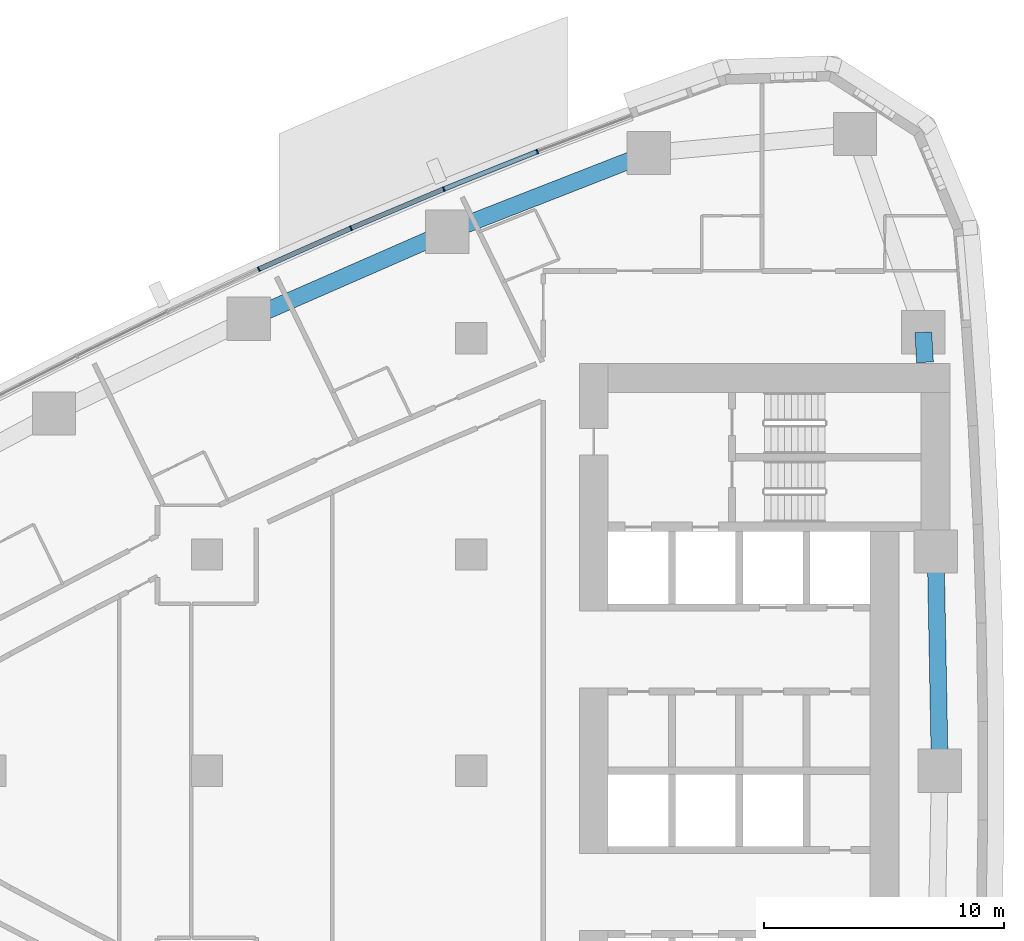
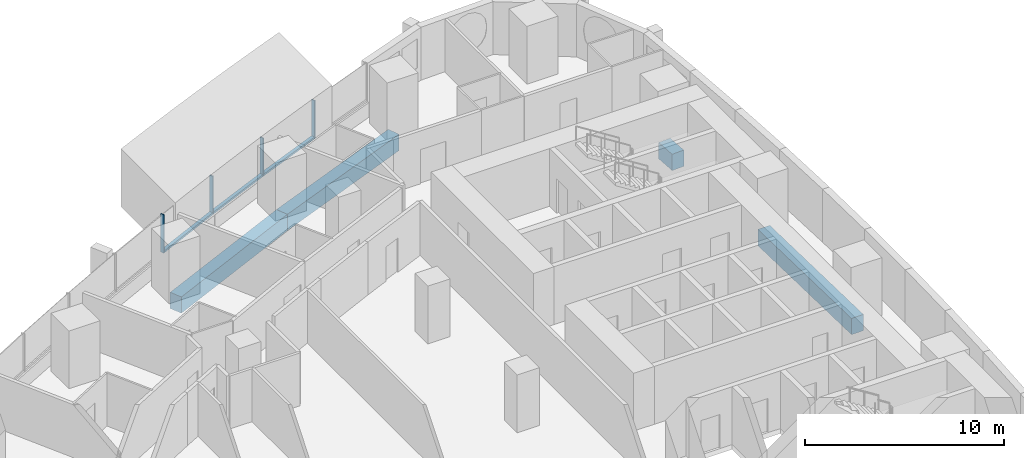
# One storey, part 6 of 19: 7 members, 4 beams, 2 elements without a shape of their own.
"""IFC4 building model written with IfcOpenShell, lengths in metres."""

import ifcopenshell
import ifcopenshell.guid

model = None  # the IFC model being written
_history = None  # IfcOwnerHistory: only IFC2X3 demands one
_inside = {}  # id of a spatial element -> (the spatial element, [elements in it])
_under = {}  # id of a project, library or spatial element -> (it, [spatial elements below it])
_declared = {}  # id of a project -> (the project, [libraries it declares])
_typed = {}  # id of a type object -> (the type object, [elements of that type])
_made_of = {}  # id of a material, layer set ... -> (it, [elements and type objects made of it])


def new_model(schema):
    """Start an empty IFC model of exactly this schema.

    Asked for "IFC4X3", IfcOpenShell would pick the latest addendum, in which some entities
    have other attributes; the version numbers below select the first issue.
    IFC2X3 requires an IfcOwnerHistory on every rooted entity: one is made here for all.
    """
    global model, _history
    if schema == "IFC4X3":
        model = ifcopenshell.file(schema_version=(4, 3, 0, 0))
    else:
        model = ifcopenshell.file(schema=schema)
    _inside.clear()
    _under.clear()
    _declared.clear()
    _typed.clear()
    _made_of.clear()
    _history = None
    if model.schema == "IFC2X3":
        org = make("IfcOrganization", Name="unknown")
        user = make(
            "IfcPersonAndOrganization",
            ThePerson=make("IfcPerson", FamilyName="unknown"),
            TheOrganization=org,
        )
        app = make(
            "IfcApplication",
            ApplicationDeveloper=org,
            Version="unknown",
            ApplicationFullName="unknown",
            ApplicationIdentifier="unknown",
        )
        _history = make(
            "IfcOwnerHistory",
            OwningUser=user,
            OwningApplication=app,
            ChangeAction="ADDED",
            CreationDate=0,
        )
    return model


def make(cls, **values):
    """One entity of the class cls with the attributes given. An attribute that is None is left unset."""
    return model.create_entity(
        cls, **{name: value for name, value in values.items() if value is not None}
    )


def rooted(cls, **values):
    """An entity with a GlobalId (a new one), such as an element, a storey or a relation."""
    return make(cls, GlobalId=ifcopenshell.guid.new(), OwnerHistory=_history, **values)


def si_unit(unit_type, name, prefix=None):
    """IfcSIUnit, for example si_unit("LENGTHUNIT", "METRE", prefix="MILLI")."""
    return make("IfcSIUnit", UnitType=unit_type, Prefix=prefix, Name=name)


def assignment(units):
    """IfcUnitAssignment: the units of a project."""
    return None if units is None else make("IfcUnitAssignment", Units=units)


def point(xyz):
    """IfcCartesianPoint."""
    return None if xyz is None else make("IfcCartesianPoint", Coordinates=xyz)


def direction(xyz):
    """IfcDirection."""
    return None if xyz is None else make("IfcDirection", DirectionRatios=xyz)


def frame(location, z_axis=None, x_axis=None):
    """IfcAxis2Placement3D, a coordinate frame: its origin and axes. An axis left out is left unset."""
    return make(
        "IfcAxis2Placement3D",
        Location=point(location),
        Axis=direction(z_axis),
        RefDirection=direction(x_axis),
    )


def frame_2d(location, x_axis=None):
    """IfcAxis2Placement2D, a coordinate frame in the plane: its origin and x axis."""
    return make(
        "IfcAxis2Placement2D", Location=point(location), RefDirection=direction(x_axis)
    )


def origin():
    """The frame at (0, 0, 0) with its axes left unset."""
    return frame((0.0, 0.0, 0.0))


def origin_2d():
    """The frame at (0, 0) in the plane with its x axis left unset."""
    return frame_2d((0.0, 0.0))


def place(relative_to, where):
    """IfcLocalPlacement: puts the frame where relative to a parent placement (None: the world)."""
    return make(
        "IfcLocalPlacement", PlacementRelTo=relative_to, RelativePlacement=where
    )


def context(
    kind, dimensions, precision=None, world=None, true_north=None, identifier=None
):
    """IfcGeometricRepresentationContext, for example the 3D "Model" context."""
    return make(
        "IfcGeometricRepresentationContext",
        ContextIdentifier=identifier,
        ContextType=kind,
        CoordinateSpaceDimension=dimensions,
        Precision=precision,
        WorldCoordinateSystem=world,
        TrueNorth=true_north,
    )


def subcontext(parent, identifier, kind, view, scale=None):
    """IfcGeometricRepresentationSubContext, for example "Body" below "Model"."""
    return make(
        "IfcGeometricRepresentationSubContext",
        ContextIdentifier=identifier,
        ContextType=kind,
        ParentContext=parent,
        TargetScale=scale,
        TargetView=view,
    )


def project(units=None, contexts=None):
    """IfcProject with its units and contexts."""
    return rooted(
        "IfcProject",
        Name="project",
        RepresentationContexts=contexts,
        UnitsInContext=assignment(units),
    )


def spatial(cls, under=None, at=None, **own):
    """A site, building, storey or space (cls), placed at a placement, below another one or the project."""
    s = rooted(cls, ObjectPlacement=at, **own)
    if under is not None:
        _under.setdefault(under.id(), (under, []))[1].append(s)
    return s


def profile(cls, at=None, kind="AREA", **sizes):
    """A parametric profile (cls). Its sizes go by their IFC names, for example OverallWidth=200.0."""
    return make(cls, ProfileType=kind, Position=at, **sizes)


def rectangle(**sizes):
    """IfcRectangleProfileDef."""
    return profile("IfcRectangleProfileDef", **sizes)


def extrude(swept, where, along, depth):
    """IfcExtrudedAreaSolid: the profile swept, set in the frame where, extruded along a direction by depth."""
    return make(
        "IfcExtrudedAreaSolid",
        SweptArea=swept,
        Position=where,
        ExtrudedDirection=direction(along),
        Depth=depth,
    )


def shape(context_of_items, identifier, shape_type, items):
    """IfcShapeRepresentation: the items that make up one representation, for example the "Body"."""
    return make(
        "IfcShapeRepresentation",
        ContextOfItems=context_of_items,
        RepresentationIdentifier=identifier,
        RepresentationType=shape_type,
        Items=items,
    )


def material(Name=None, Category=None):
    """IfcMaterial."""
    return make("IfcMaterial", Name=Name, Category=Category)


def layer(
    of_material, thickness, ventilated=None, Name=None, Category=None, Priority=None
):
    """IfcMaterialLayer: one layer of a wall or slab, of a material (None: an air gap)."""
    return make(
        "IfcMaterialLayer",
        Material=of_material,
        LayerThickness=thickness,
        IsVentilated=ventilated,
        Name=Name,
        Category=Category,
        Priority=Priority,
    )


def layer_set(layers, Name=None):
    """IfcMaterialLayerSet."""
    return make("IfcMaterialLayerSet", MaterialLayers=layers, LayerSetName=Name)


def material_profile(
    of_material, cross_section, Name=None, Category=None, Priority=None
):
    """IfcMaterialProfile: a cross section and its material."""
    return make(
        "IfcMaterialProfile",
        Name=Name,
        Material=of_material,
        Profile=cross_section,
        Priority=Priority,
        Category=Category,
    )


def profile_set(profiles, Name=None, composite=None):
    """IfcMaterialProfileSet."""
    return make(
        "IfcMaterialProfileSet",
        Name=Name,
        MaterialProfiles=profiles,
        CompositeProfile=composite,
    )


def made_of(thing, what):
    """Note that an element or type object is made of a material, layer set ...; save() writes the relation."""
    if what is not None:
        _made_of.setdefault(what.id(), (what, []))[1].append(thing)
    return thing


def type_object(cls, material=None, **own):
    """A type object (cls), such as IfcWallType, which elements share."""
    return made_of(rooted(cls, **own), material)


def element(
    cls,
    number,
    at=None,
    inside=None,
    cuts=None,
    type_object=None,
    material=None,
    context=None,
    identifier="Body",
    shape_type=None,
    held_by="IfcProductDefinitionShape",
    body=None,
    shapes=None,
    **own,
):
    """One element of the class cls, such as IfcWall. Its Tag is "e" and its number.

    at: its placement. inside: the storey or other place that contains it. cuts: it is an
    opening in that element (IfcRelVoidsElement). A single representation is given by context,
    identifier, shape_type and body (its items); several are given by shapes. held_by: the class
    of the entity that holds the representations. save() writes the other relations.
    """
    e = rooted(cls, Tag="e%d" % number, ObjectPlacement=at, **own)
    if body is not None:
        shapes = [shape(context, identifier, shape_type, body)]
    if shapes is not None:
        e.Representation = make(held_by, Representations=shapes)
    if inside is not None:
        _inside.setdefault(inside.id(), (inside, []))[1].append(e)
    if cuts is not None:
        rooted(
            "IfcRelVoidsElement", RelatingBuildingElement=cuts, RelatedOpeningElement=e
        )
    if type_object is not None:
        _typed.setdefault(type_object.id(), (type_object, []))[1].append(e)
    return made_of(e, material)


def aggregate(whole, parts):
    """IfcRelAggregates: a whole, such as a stair, and the parts it consists of."""
    return rooted("IfcRelAggregates", RelatingObject=whole, RelatedObjects=parts)


def save(model, path):
    """Write the relations noted so far, then the file.

    IfcRelAggregates (storeys below a building ...), IfcRelContainedInSpatialStructure (elements
    in a storey), IfcRelDefinesByType, IfcRelAssociatesMaterial and IfcRelDeclares: one each for
    every whole, place, type object, material and project.
    """
    for whole, parts in _under.values():
        aggregate(whole, parts)
    for where, things in _inside.values():
        rooted(
            "IfcRelContainedInSpatialStructure",
            RelatedElements=things,
            RelatingStructure=where,
        )
    for kind, things in _typed.values():
        rooted("IfcRelDefinesByType", RelatedObjects=things, RelatingType=kind)
    for what, things in _made_of.values():
        rooted("IfcRelAssociatesMaterial", RelatedObjects=things, RelatingMaterial=what)
    for by, libraries in _declared.values():
        rooted("IfcRelDeclares", RelatingContext=by, RelatedDefinitions=libraries)
    model.write(path)


model = new_model("IFC4")

# Units and contexts
model_context = context("Model", 3, precision=1e-05, world=origin(), true_north=direction((0.0, 1.0)))
body_context = subcontext(model_context, "Body", "Model", "MODEL_VIEW")
ifc_project = project(units=[si_unit("LENGTHUNIT", "METRE"), si_unit("AREAUNIT", "SQUARE_METRE"), si_unit("VOLUMEUNIT", "CUBIC_METRE"), si_unit("PLANEANGLEUNIT", "RADIAN"), si_unit("MASSUNIT", "GRAM", prefix="KILO")], contexts=[model_context])

# Site, building, storey
site_placement = place(None, origin())
site = spatial("IfcSite", under=ifc_project, at=site_placement, CompositionType="ELEMENT")
building_placement = place(site_placement, origin())
building = spatial("IfcBuilding", under=site, at=building_placement, Name="Ostrand Prow Hotel Tower", CompositionType="ELEMENT")
storey_placement = place(building_placement, frame((0.0, 0.0, 50.25)))
storey = spatial("IfcBuildingStorey", under=building, at=storey_placement, Name="L10", CompositionType="ELEMENT", Elevation=50.25)

# Beams
ifc_material_1 = material(Name="Concrete C80/95", Category="concrete")
ifc_material_profile_1 = material_profile(ifc_material_1, rectangle(XDim=0.699951171875, YDim=1.0, at=origin_2d()), Name="RC 700x1000")
ifc_profile_set_1 = profile_set([ifc_material_profile_1], Name="Concrete C80/95")
beam_type = type_object("IfcBeamType", Name="Edge beam 700x1000 C80/95", PredefinedType="SPANDREL", material=ifc_profile_set_1)
beam_1_placement = place(storey_placement, frame((64.5, 0.0, -0.800048828125), z_axis=(-0.018793471688, 0.999823387115, 0.0), x_axis=(-0.999823387115, -0.018793471688, 0.0)))
element("IfcBeam", 1, at=beam_1_placement, inside=storey, type_object=beam_type, Name="Edge beam B3-B4", PredefinedType="SPANDREL", context=body_context, shape_type="SweptSolid", body=[
    extrude(rectangle(XDim=0.699951171875, YDim=1.0, at=origin_2d()), origin(), (0.0, 0.0, 1.0), 9.132568359375),
])
beam_2_placement = place(storey_placement, frame((63.8837890625, 17.0, -0.800048828125), z_axis=(-0.056215946509, 0.998418633319, 0.0), x_axis=(-0.998418633319, -0.056215946509, 0.0)))
element("IfcBeam", 2, at=beam_2_placement, inside=storey, type_object=beam_type, Name="Edge beam B4-B5", PredefinedType="SPANDREL", context=body_context, shape_type="SweptSolid", body=[
    extrude(rectangle(XDim=0.699951171875, YDim=1.0, at=origin_2d()), origin(), (0.0, 0.0, 1.0), 1.250732421875),
])
for number, where, z_axis, x_axis, name in (
    (3, (52.3916015625, 25.710205078125, -0.800048828125), (-0.931329480916, -0.364177701098, 0.0), (0.364177701098, -0.931329480916, 0.0), "Edge beam N1-N2"),
    (4, (43.997802734375, 22.427978515625, -0.800048828125), (-0.916095776162, -0.400959510297, 0.0), (0.400959510297, -0.916095776162, 0.0), "Edge beam N2-N3"),
):
    element("IfcBeam", number, at=place(storey_placement, frame(where, z_axis=z_axis, x_axis=x_axis)), inside=storey, type_object=beam_type, Name=name, PredefinedType="SPANDREL", context=body_context, shape_type="SweptSolid", body=[
        extrude(rectangle(XDim=0.699951171875, YDim=1.0, at=origin_2d()), origin(), (0.0, 0.0, 1.0), 9.0126953125),
    ])

# Curtain wall, members
ifc_material_2 = material(Name="Insulated glass in bronze anodised frame", Category="glass")
ifc_layer = layer(ifc_material_2, 0.199951171875)
ifc_layer_set = layer_set([ifc_layer], Name="Insulated glass in bronze anodised frame")
curtain_wall_type = type_object("IfcCurtainWallType", Name="Strip curtain wall, fritted glass over bronze spandrel", PredefinedType="NOTDEFINED", material=ifc_layer_set)
curtain_wall_1_placement = place(storey_placement, origin())
curtain_wall_1 = element("IfcCurtainWall", 5, at=curtain_wall_1_placement, inside=storey, type_object=curtain_wall_type, Name="CW1 run CWN1", PredefinedType="NOTDEFINED")
ifc_material_3 = material(Name="Bronze anodised aluminium", Category="aluminium")
ifc_material_profile_2 = material_profile(ifc_material_3, rectangle(XDim=0.199951171875, YDim=0.06005859375, at=origin_2d()), Name="Mullion 60x200 bronze anodised aluminium")
ifc_profile_set_2 = profile_set([ifc_material_profile_2], Name="Bronze anodised aluminium")
member_type_1 = type_object("IfcMemberType", Name="Mullion 60x200 bronze anodised aluminium", PredefinedType="MULLION", material=ifc_profile_set_2)
member_1_placement = place(storey_placement, frame((47.7529296875, 25.769775390625, 0.89990234375), z_axis=(0.0, 0.0, 1.0), x_axis=(0.371873380669, -0.928283463577, 0.0)))
member_1 = element("IfcMember", 6, at=member_1_placement, type_object=member_type_1, Name="CW1 mullion 2", PredefinedType="MULLION", context=body_context, shape_type="SweptSolid", body=[
    extrude(rectangle(XDim=0.199951171875, YDim=0.06005859375, at=origin_2d()), origin(), (0.0, 0.0, 1.0), 2.35009765625),
])
member_2_placement = place(storey_placement, frame((43.859619140625, 24.210205078125, 0.89990234375), z_axis=(0.0, 0.0, 1.0), x_axis=(0.371873380669, -0.928283463577, 0.0)))
member_2 = element("IfcMember", 7, at=member_2_placement, type_object=member_type_1, Name="CW1 mullion 3", PredefinedType="MULLION", context=body_context, shape_type="SweptSolid", body=[
    extrude(rectangle(XDim=0.199951171875, YDim=0.06005859375, at=origin_2d()), origin(), (0.0, 0.0, 1.0), 2.35009765625),
])

curtain_wall_2_placement = place(storey_placement, origin())
curtain_wall_2 = element("IfcCurtainWall", 8, at=curtain_wall_2_placement, inside=storey, type_object=curtain_wall_type, Name="CW1 run CWN2", PredefinedType="NOTDEFINED")
member_3_placement = place(storey_placement, frame((39.99560546875, 22.5791015625, 0.89990234375), z_axis=(0.0, 0.0, 1.0), x_axis=(0.405779757666, -0.913970890274, 0.0)))
member_3 = element("IfcMember", 9, at=member_3_placement, type_object=member_type_1, Name="CW1 mullion 2", PredefinedType="MULLION", context=body_context, shape_type="SweptSolid", body=[
    extrude(rectangle(XDim=0.199951171875, YDim=0.06005859375, at=origin_2d()), origin(), (0.0, 0.0, 1.0), 2.35009765625),
])
member_4_placement = place(storey_placement, frame((36.162109375, 20.876953125, 0.89990234375), z_axis=(0.0, 0.0, 1.0), x_axis=(0.405779757666, -0.913970890274, 0.0)))
member_4 = element("IfcMember", 10, at=member_4_placement, type_object=member_type_1, Name="CW1 mullion 3", PredefinedType="MULLION", context=body_context, shape_type="SweptSolid", body=[
    extrude(rectangle(XDim=0.199951171875, YDim=0.06005859375, at=origin_2d()), origin(), (0.0, 0.0, 1.0), 2.35009765625),
])

# Member
ifc_material_4 = material(Name="Bronze anodised aluminium", Category="aluminium")
ifc_material_profile_3 = material_profile(ifc_material_4, rectangle(XDim=0.199951171875, YDim=0.1201171875, at=origin_2d()), Name="Transom 120x200 bronze anodised aluminium")
ifc_profile_set_3 = profile_set([ifc_material_profile_3], Name="Bronze anodised aluminium")
member_type_2 = type_object("IfcMemberType", Name="Transom 120x200 bronze anodised aluminium", PredefinedType="USERDEFINED", material=ifc_profile_set_3)
member_5_placement = place(storey_placement, frame((47.72509765625, 25.7587890625, 0.9599609375), z_axis=(-0.928264761225, -0.371920062739, 0.0), x_axis=(0.371920062739, -0.928264761225, 0.0)))
member_5 = element("IfcMember", 11, at=member_5_placement, type_object=member_type_2, Name="CW1 transom 2.1", ObjectType="TRANSOM", PredefinedType="USERDEFINED", context=body_context, shape_type="SweptSolid", body=[
    extrude(rectangle(XDim=0.199951171875, YDim=0.1201171875, at=origin_2d()), origin(), (0.0, 0.0, 1.0), 4.13427734375),
])

aggregate(curtain_wall_1, [member_1, member_2, member_5])

member_6_placement = place(storey_placement, frame((43.831787109375, 24.198486328125, 0.9599609375), z_axis=(-0.921284828297, -0.388888499637, 0.0), x_axis=(0.388888499637, -0.921284828297, 0.0)))
member_6 = element("IfcMember", 12, at=member_6_placement, type_object=member_type_2, Name="CW1 transom 1.1", ObjectType="TRANSOM", PredefinedType="USERDEFINED", context=body_context, shape_type="SweptSolid", body=[
    extrude(rectangle(XDim=0.199951171875, YDim=0.1201171875, at=origin_2d()), origin(), (0.0, 0.0, 1.0), 4.134033203125),
])

member_7_placement = place(storey_placement, frame((39.968017578125, 22.56689453125, 0.9599609375), z_axis=(-0.913957599094, -0.405809693156, 0.0), x_axis=(0.405809693156, -0.913957599094, 0.0)))
member_7 = element("IfcMember", 13, at=member_7_placement, type_object=member_type_2, Name="CW1 transom 2.1", ObjectType="TRANSOM", PredefinedType="USERDEFINED", context=body_context, shape_type="SweptSolid", body=[
    extrude(rectangle(XDim=0.199951171875, YDim=0.1201171875, at=origin_2d()), origin(), (0.0, 0.0, 1.0), 4.13427734375),
])

aggregate(curtain_wall_2, [member_3, member_4, member_6, member_7])

save(model, "model.ifc")
